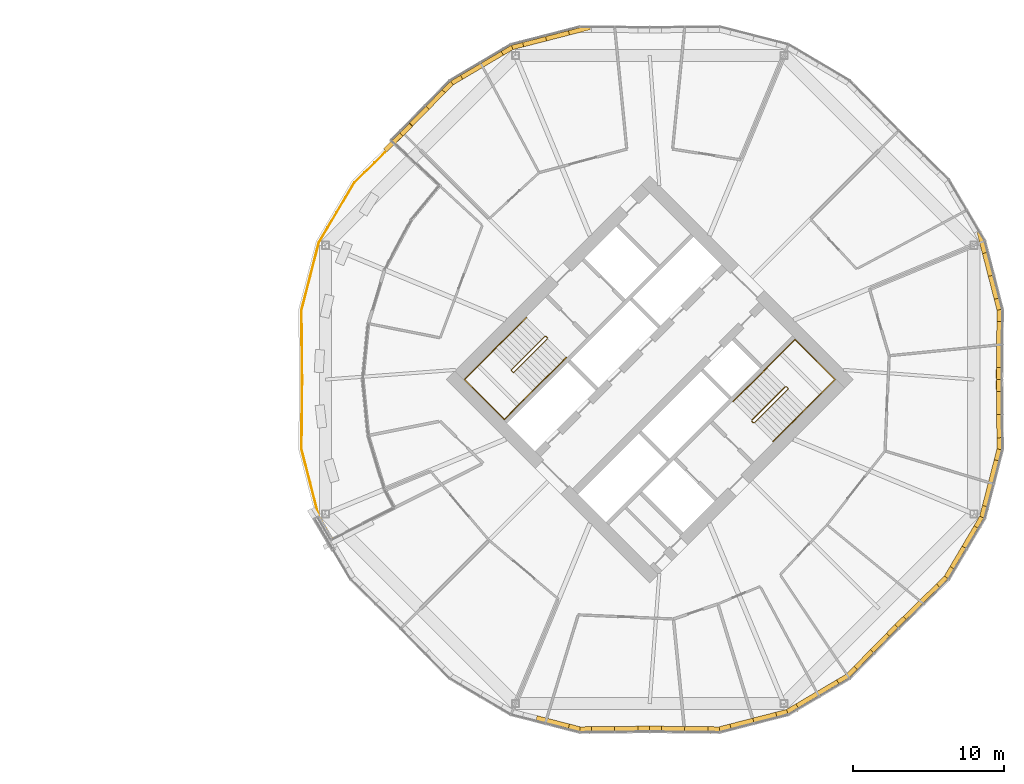
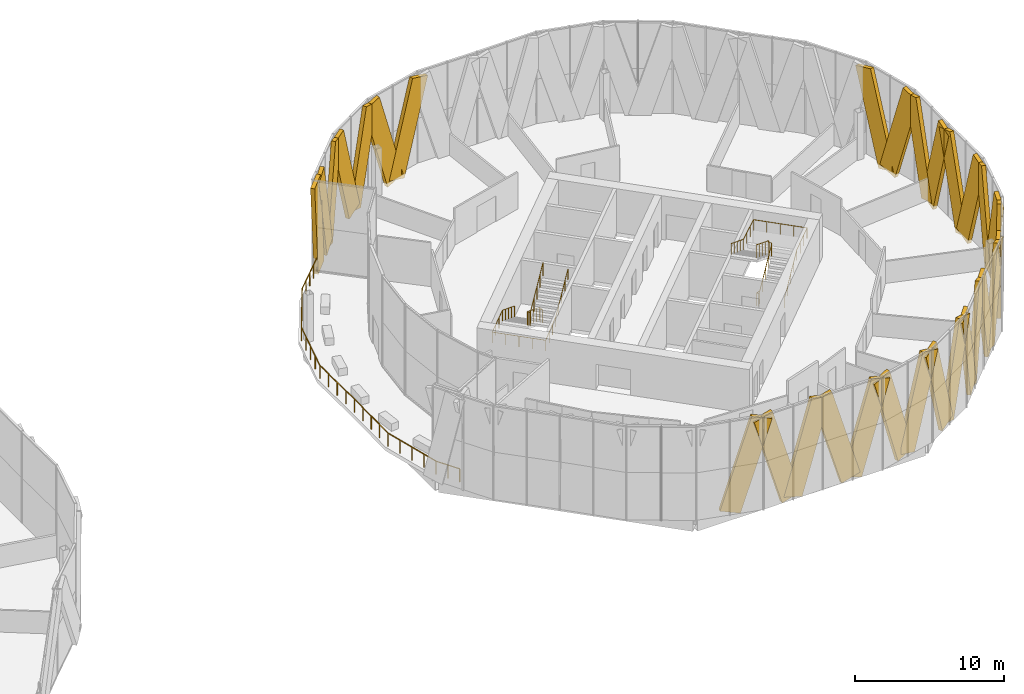
# One storey, part 29 of 31: 30 coverings, 5 railings.
"""IFC4 building model written with IfcOpenShell, lengths in metres."""

from ifc_helpers import new_model, si_unit, direction, frame, origin, origin_2d, place, context, subcontext, project, spatial, rectangle, circle, extrude, material, material_profile, profile_set, type_object, element, save


model = new_model("IFC4")

# Units and contexts
model_context = context("Model", 3, precision=1e-05, world=origin(), true_north=direction((0.0, 1.0)))
body_context = subcontext(model_context, "Body", "Model", "MODEL_VIEW")
ifc_project = project(units=[si_unit("LENGTHUNIT", "METRE"), si_unit("AREAUNIT", "SQUARE_METRE"), si_unit("VOLUMEUNIT", "CUBIC_METRE"), si_unit("PLANEANGLEUNIT", "RADIAN"), si_unit("MASSUNIT", "GRAM", prefix="KILO")], contexts=[model_context])

# Site, building, storey
site_placement = place(None, origin())
site = spatial("IfcSite", under=ifc_project, at=site_placement, CompositionType="ELEMENT")
building_placement = place(site_placement, origin())
building = spatial("IfcBuilding", under=site, at=building_placement, Name="Ogive Gate Towers", CompositionType="ELEMENT")
storey_placement = place(building_placement, frame((0.0, 0.0, 107.39990234375)))
storey = spatial("IfcBuildingStorey", under=building, at=storey_placement, Name="L25", CompositionType="ELEMENT", Elevation=107.39990234375)

# Coverings
ifc_material_1 = material(Name="Pale metal aluminium", Category="aluminium")
ifc_material_profile = material_profile(ifc_material_1, rectangle(XDim=0.300048828125, YDim=1.5, at=origin_2d()), Name="1500 x 300 pale metal aluminium")
ifc_profile_set = profile_set([ifc_material_profile], Name="Pale metal aluminium")
covering_type = type_object("IfcCoveringType", Name="Facade fin 1500 x 300", PredefinedType="CLADDING", material=ifc_profile_set)
for number, where, z_axis, x_axis, name in (
    (1, (58.482666015625, 6.9033203125, -0.13427734375), (-0.07165104365, 0.278575957576, 0.957737732265), (-0.968478486623, -0.249097211846, 0.0), "Facade fin"),
    (2, (58.514892578125, 6.77783203125, -0.13427734375), (0.071682612717, -0.278575324057, 0.957735554243), (0.968451868218, 0.249200680067, 0.0), "Facade fin"),
):
    element("IfcCovering", number, at=place(storey_placement, frame(where, z_axis=z_axis, x_axis=x_axis)), inside=storey, type_object=covering_type, Name=name, PredefinedType="CLADDING", context=body_context, shape_type="SweptSolid", body=[
        extrude(rectangle(XDim=0.300048828125, YDim=1.5, at=origin_2d()), origin(), (0.0, 0.0, 1.0), 7.69384765625),
    ])
for number, where, z_axis, x_axis, name in (
    (3, (59.053466796875, 2.37744140625, -0.13671875), (0.002825315635, 0.2841823097, 0.958766098924), (-0.999950582852, 0.009941421121, 0.0), "Facade fin"),
    (4, (59.05224609375, 2.2509765625, -0.13671875), (-0.002825290145, -0.284211490702, 0.958757449144), (0.99995059389, -0.009940310829, 0.0), "Facade fin"),
    (5, (21.291259765625, 17.89208984375, -0.13671875), (-0.198977201054, -0.202945316901, 0.958760278594), (0.714053132202, -0.700091511441, 0.0), "Facade fin"),
):
    element("IfcCovering", number, at=place(storey_placement, frame(where, z_axis=z_axis, x_axis=x_axis)), inside=storey, type_object=covering_type, Name=name, PredefinedType="CLADDING", context=body_context, shape_type="SweptSolid", body=[
        extrude(rectangle(XDim=0.300048828125, YDim=1.5, at=origin_2d()), origin(), (0.0, 0.0, 1.0), 7.690673828125),
    ])
covering_1_placement = place(storey_placement, frame((21.379638671875, 17.982421875, -0.13671875), z_axis=(0.198971145205, 0.202939140283, 0.958762842791), x_axis=(-0.714053132202, 0.700091511441, 0.0)))
element("IfcCovering", 6, at=covering_1_placement, inside=storey, type_object=covering_type, Name="Facade fin", PredefinedType="CLADDING", context=body_context, shape_type="SweptSolid", body=[
    extrude(rectangle(XDim=0.300048828125, YDim=1.5, at=origin_2d()), origin(), (0.0, 0.0, 1.0), 7.69091796875),
])
for number, where, z_axis, x_axis, name in (
    (7, (24.8720703125, 20.713134765625, -0.13427734375), (-0.247637883216, -0.14631705273, 0.957740465302), (0.508692143634, -0.860948490332, 0.0), "Facade fin"),
    (8, (24.983642578125, 20.779296875, -0.13427734375), (0.247668818854, 0.146284850085, 0.957737385092), (-0.508562052946, 0.861025341267, 0.0), "Facade fin"),
    (9, (29.0966796875, 22.482666015625, -0.13427734375), (-0.278575957576, -0.07165104365, 0.957737732265), (0.249097211846, -0.968478486623, 0.0), "Facade fin"),
    (10, (29.22216796875, 22.514892578125, -0.13427734375), (0.278575324057, 0.071682612717, 0.957735554243), (-0.249200680067, 0.968451868218, 0.0), "Facade fin"),
):
    element("IfcCovering", number, at=place(storey_placement, frame(where, z_axis=z_axis, x_axis=x_axis)), inside=storey, type_object=covering_type, Name=name, PredefinedType="CLADDING", context=body_context, shape_type="SweptSolid", body=[
        extrude(rectangle(XDim=0.300048828125, YDim=1.5, at=origin_2d()), origin(), (0.0, 0.0, 1.0), 7.69384765625),
    ])
covering_2_placement = place(storey_placement, frame((19.70654296875, 16.276123046875, -0.2626953125), z_axis=(-0.08293103696, -0.081309302725, 0.993232722175), x_axis=(0.700090572478, -0.714054052805, 0.0)))
element("IfcCovering", 11, at=covering_2_placement, inside=storey, type_object=covering_type, Name="Facade fin", PredefinedType="CLADDING", context=body_context, shape_type="SweptSolid", body=[
    extrude(rectangle(XDim=0.300048828125, YDim=1.5, at=origin_2d()), origin(), (0.0, 0.0, 1.0), 7.677734375),
])
for number, where, z_axis, x_axis, name in (
    (12, (33.7490234375, -23.05224609375, -0.13671875), (0.284211490702, 0.002825290145, 0.958757449144), (-0.009940310829, 0.99995059389, 0.0), "Facade fin"),
    (13, (33.62255859375, -23.053466796875, -0.13671875), (-0.2841823097, -0.002825315635, 0.958766098924), (0.009941421121, -0.999950582852, 0.0), "Facade fin"),
):
    element("IfcCovering", number, at=place(storey_placement, frame(where, z_axis=z_axis, x_axis=x_axis)), inside=storey, type_object=covering_type, Name=name, PredefinedType="CLADDING", context=body_context, shape_type="SweptSolid", body=[
        extrude(rectangle(XDim=0.300048828125, YDim=1.5, at=origin_2d()), origin(), (0.0, 0.0, 1.0), 7.690673828125),
    ])
covering_3_placement = place(storey_placement, frame((29.22216796875, -22.514892578125, -0.13427734375), z_axis=(0.278575324057, -0.071682612717, 0.957735554243), x_axis=(0.249200680067, 0.968451868218, 0.0)))
element("IfcCovering", 14, at=covering_3_placement, inside=storey, type_object=covering_type, Name="Facade fin", PredefinedType="CLADDING", context=body_context, shape_type="SweptSolid", body=[
    extrude(rectangle(XDim=0.300048828125, YDim=1.5, at=origin_2d()), origin(), (0.0, 0.0, 1.0), 7.69384765625),
])
covering_4_placement = place(storey_placement, frame((50.708740234375, -17.89208984375, -0.13671875), z_axis=(0.198977201054, 0.202945316901, 0.958760278594), x_axis=(-0.714053132202, 0.700091511441, 0.0)))
element("IfcCovering", 15, at=covering_4_placement, inside=storey, type_object=covering_type, Name="Facade fin", PredefinedType="CLADDING", context=body_context, shape_type="SweptSolid", body=[
    extrude(rectangle(XDim=0.300048828125, YDim=1.5, at=origin_2d()), origin(), (0.0, 0.0, 1.0), 7.690673828125),
])
covering_5_placement = place(storey_placement, frame((50.620361328125, -17.982421875, -0.13671875), z_axis=(-0.198971145205, -0.202939140283, 0.958762842791), x_axis=(0.714053132202, -0.700091511441, 0.0)))
element("IfcCovering", 16, at=covering_5_placement, inside=storey, type_object=covering_type, Name="Facade fin", PredefinedType="CLADDING", context=body_context, shape_type="SweptSolid", body=[
    extrude(rectangle(XDim=0.300048828125, YDim=1.5, at=origin_2d()), origin(), (0.0, 0.0, 1.0), 7.69091796875),
])
for number, where, z_axis, x_axis, name in (
    (17, (47.1279296875, -20.713134765625, -0.13427734375), (0.247637883216, 0.14631705273, 0.957740465302), (-0.508692143634, 0.860948490332, 0.0), "Facade fin"),
    (18, (47.016357421875, -20.779296875, -0.13427734375), (-0.247668818854, -0.146284850085, 0.957737385092), (0.508562052946, -0.861025341267, 0.0), "Facade fin"),
    (19, (42.9033203125, -22.482666015625, -0.13427734375), (0.278575957576, 0.07165104365, 0.957737732265), (-0.249097211846, 0.968478486623, 0.0), "Facade fin"),
    (20, (42.77783203125, -22.514892578125, -0.13427734375), (-0.278575324057, -0.071682612717, 0.957735554243), (0.249200680067, -0.968451868218, 0.0), "Facade fin"),
):
    element("IfcCovering", number, at=place(storey_placement, frame(where, z_axis=z_axis, x_axis=x_axis)), inside=storey, type_object=covering_type, Name=name, PredefinedType="CLADDING", context=body_context, shape_type="SweptSolid", body=[
        extrude(rectangle(XDim=0.300048828125, YDim=1.5, at=origin_2d()), origin(), (0.0, 0.0, 1.0), 7.69384765625),
    ])
for number, where, z_axis, x_axis, name in (
    (21, (38.37744140625, -23.053466796875, -0.13671875), (0.2841823097, -0.002825315635, 0.958766098924), (0.009941421121, 0.999950582852, 0.0), "Facade fin"),
    (22, (38.2509765625, -23.05224609375, -0.13671875), (-0.284211490702, 0.002825290145, 0.958757449144), (-0.009940310829, -0.99995059389, 0.0), "Facade fin"),
    (23, (59.05224609375, -2.2509765625, -0.13671875), (-0.002825290145, 0.284211490702, 0.958757449144), (-0.99995059389, -0.009940310829, 0.0), "Facade fin"),
    (24, (59.053466796875, -2.37744140625, -0.13671875), (0.002825315635, -0.2841823097, 0.958766098924), (0.999950582852, 0.009941421121, 0.0), "Facade fin"),
):
    element("IfcCovering", number, at=place(storey_placement, frame(where, z_axis=z_axis, x_axis=x_axis)), inside=storey, type_object=covering_type, Name=name, PredefinedType="CLADDING", context=body_context, shape_type="SweptSolid", body=[
        extrude(rectangle(XDim=0.300048828125, YDim=1.5, at=origin_2d()), origin(), (0.0, 0.0, 1.0), 7.690673828125),
    ])
for number, where, z_axis, x_axis, name in (
    (25, (58.514892578125, -6.77783203125, -0.13427734375), (0.071682612717, 0.278575324057, 0.957735554243), (-0.968451868218, 0.249200680067, 0.0), "Facade fin"),
    (26, (58.482666015625, -6.9033203125, -0.13427734375), (-0.07165104365, -0.278575957576, 0.957737732265), (0.968478486623, -0.249097211846, 0.0), "Facade fin"),
    (27, (56.779296875, -11.016357421875, -0.13427734375), (0.146284850085, 0.247668818854, 0.957737385092), (-0.861025341267, 0.508562052946, 0.0), "Facade fin"),
    (28, (56.713134765625, -11.1279296875, -0.13427734375), (-0.14631705273, -0.247637883216, 0.957740465302), (0.860948490332, -0.508692143634, 0.0), "Facade fin"),
):
    element("IfcCovering", number, at=place(storey_placement, frame(where, z_axis=z_axis, x_axis=x_axis)), inside=storey, type_object=covering_type, Name=name, PredefinedType="CLADDING", context=body_context, shape_type="SweptSolid", body=[
        extrude(rectangle(XDim=0.300048828125, YDim=1.5, at=origin_2d()), origin(), (0.0, 0.0, 1.0), 7.69384765625),
    ])
covering_6_placement = place(storey_placement, frame((53.982421875, -14.620361328125, -0.13671875), z_axis=(0.202939140283, 0.198971145205, 0.958762842791), x_axis=(-0.700091511441, 0.714053132202, 0.0)))
element("IfcCovering", 29, at=covering_6_placement, inside=storey, type_object=covering_type, Name="Facade fin", PredefinedType="CLADDING", context=body_context, shape_type="SweptSolid", body=[
    extrude(rectangle(XDim=0.300048828125, YDim=1.5, at=origin_2d()), origin(), (0.0, 0.0, 1.0), 7.69091796875),
])
covering_7_placement = place(storey_placement, frame((53.89208984375, -14.708740234375, -0.13671875), z_axis=(-0.202945316901, -0.198977201054, 0.958760278594), x_axis=(0.700091511441, -0.714053132202, 0.0)))
element("IfcCovering", 30, at=covering_7_placement, inside=storey, type_object=covering_type, Name="Facade fin", PredefinedType="CLADDING", context=body_context, shape_type="SweptSolid", body=[
    extrude(rectangle(XDim=0.300048828125, YDim=1.5, at=origin_2d()), origin(), (0.0, 0.0, 1.0), 7.690673828125),
])

# Railings
ifc_material_2 = material(Name="Stainless steel", Category="steel")
railing_type_1 = type_object("IfcRailingType", Name="Guard 1100", PredefinedType="GUARDRAIL", material=ifc_material_2)
railing_1_placement = place(storey_placement, frame((15.10009765625, -10.635009765625, 0.0)))
element("IfcRailing", 31, at=railing_1_placement, inside=storey, type_object=railing_type_1, Name="Sky garden guard", PredefinedType="GUARDRAIL", context=body_context, shape_type="SweptSolid", body=[
    extrude(circle(Radius=0.02392578125, at=origin_2d()), frame((0.0, 0.0, 1.076171875), z_axis=(-0.508608980752, 0.860997621773, 0.0), x_axis=(-0.860997621773, -0.508608980752, 0.0)), (0.0, 0.0, 1.0), 1.845703125),
    extrude(circle(Radius=0.02392578125, at=origin_2d()), frame((-0.938720703125, 1.589111328125, 1.076171875), z_axis=(-0.24915616275, 0.96846332226, 0.0), x_axis=(-0.96846332226, -0.24915616275, 0.0)), (0.0, 0.0, 1.0), 4.603515625),
    extrude(circle(Radius=0.02392578125, at=origin_2d()), frame((-2.085693359375, 6.04736328125, 1.076171875), z_axis=(0.009955317742, 0.999950444596, 0.0), x_axis=(-0.999950444596, 0.009955317742, 0.0)), (0.0, 0.0, 1.0), 4.5859375),
    extrude(circle(Radius=0.02392578125, at=origin_2d()), frame((-2.0400390625, 10.633056640625, 1.076171875), z_axis=(-0.009946845519, 0.999950528908, 0.0), x_axis=(-0.999950528908, -0.009946845519, 0.0)), (0.0, 0.0, 1.0), 4.58984375),
    extrude(circle(Radius=0.02392578125, at=origin_2d()), frame((-2.085693359375, 15.22265625, 1.076171875), z_axis=(0.24915616275, 0.96846332226, 0.0), x_axis=(-0.96846332226, 0.24915616275, 0.0)), (0.0, 0.0, 1.0), 4.603515625),
    extrude(circle(Radius=0.02392578125, at=origin_2d()), frame((-0.938720703125, 19.680908203125, 1.076171875), z_axis=(0.50865783913, 0.860968758256, 0.0), x_axis=(-0.860968758256, 0.50865783913, 0.0)), (0.0, 0.0, 1.0), 4.603515625),
    extrude(circle(Radius=0.02392578125, at=origin_2d()), frame((1.40283203125, 23.644287109375, 1.076171875), z_axis=(0.714052566165, 0.700092088767, 0.0), x_axis=(-0.700092088767, 0.714052566165, 0.0)), (0.0, 0.0, 1.0), 3.77734375),
    extrude(circle(Radius=0.02099609375, at=origin_2d()), origin(), (0.0, 0.0, 1.0), 1.052001953125),
    extrude(circle(Radius=0.02099609375, at=origin_2d()), frame((-0.46923828125, 0.79443359375, 0.0)), (0.0, 0.0, 1.0), 1.052001953125),
    extrude(circle(Radius=0.02099609375, at=origin_2d()), frame((-0.938720703125, 1.589111328125, 0.0)), (0.0, 0.0, 1.0), 1.052001953125),
    extrude(circle(Radius=0.02099609375, at=origin_2d()), frame((-1.2255859375, 2.70361328125, 0.0)), (0.0, 0.0, 1.0), 1.052001953125),
    extrude(circle(Radius=0.02099609375, at=origin_2d()), frame((-1.51220703125, 3.818359375, 0.0)), (0.0, 0.0, 1.0), 1.052001953125),
    extrude(circle(Radius=0.02099609375, at=origin_2d()), frame((-1.798828125, 4.932861328125, 0.0)), (0.0, 0.0, 1.0), 1.052001953125),
    extrude(circle(Radius=0.02099609375, at=origin_2d()), frame((-2.085693359375, 6.04736328125, 0.0)), (0.0, 0.0, 1.0), 1.052001953125),
    extrude(circle(Radius=0.02099609375, at=origin_2d()), frame((-2.07421875, 7.19384765625, 0.0)), (0.0, 0.0, 1.0), 1.052001953125),
    extrude(circle(Radius=0.02099609375, at=origin_2d()), frame((-2.06298828125, 8.34033203125, 0.0)), (0.0, 0.0, 1.0), 1.052001953125),
    extrude(circle(Radius=0.02099609375, at=origin_2d()), frame((-2.051513671875, 9.486572265625, 0.0)), (0.0, 0.0, 1.0), 1.052001953125),
    extrude(circle(Radius=0.02099609375, at=origin_2d()), frame((-2.0400390625, 10.633056640625, 0.0)), (0.0, 0.0, 1.0), 1.052001953125),
    extrude(circle(Radius=0.02099609375, at=origin_2d()), frame((-2.051513671875, 11.780517578125, 0.0)), (0.0, 0.0, 1.0), 1.052001953125),
    extrude(circle(Radius=0.02099609375, at=origin_2d()), frame((-2.06298828125, 12.927734375, 0.0)), (0.0, 0.0, 1.0), 1.052001953125),
    extrude(circle(Radius=0.02099609375, at=origin_2d()), frame((-2.07421875, 14.0751953125, 0.0)), (0.0, 0.0, 1.0), 1.052001953125),
    extrude(circle(Radius=0.02099609375, at=origin_2d()), frame((-2.085693359375, 15.22265625, 0.0)), (0.0, 0.0, 1.0), 1.052001953125),
    extrude(circle(Radius=0.02099609375, at=origin_2d()), frame((-1.798828125, 16.337158203125, 0.0)), (0.0, 0.0, 1.0), 1.052001953125),
    extrude(circle(Radius=0.02099609375, at=origin_2d()), frame((-1.51220703125, 17.45166015625, 0.0)), (0.0, 0.0, 1.0), 1.052001953125),
    extrude(circle(Radius=0.02099609375, at=origin_2d()), frame((-1.2255859375, 18.56640625, 0.0)), (0.0, 0.0, 1.0), 1.052001953125),
    extrude(circle(Radius=0.02099609375, at=origin_2d()), frame((-0.938720703125, 19.680908203125, 0.0)), (0.0, 0.0, 1.0), 1.052001953125),
    extrude(circle(Radius=0.02099609375, at=origin_2d()), frame((-0.353271484375, 20.671875, 0.0)), (0.0, 0.0, 1.0), 1.052001953125),
    extrude(circle(Radius=0.02099609375, at=origin_2d()), frame((0.23193359375, 21.66259765625, 0.0)), (0.0, 0.0, 1.0), 1.052001953125),
    extrude(circle(Radius=0.02099609375, at=origin_2d()), frame((0.8173828125, 22.6533203125, 0.0)), (0.0, 0.0, 1.0), 1.052001953125),
    extrude(circle(Radius=0.02099609375, at=origin_2d()), frame((1.40283203125, 23.644287109375, 0.0)), (0.0, 0.0, 1.0), 1.052001953125),
    extrude(circle(Radius=0.02099609375, at=origin_2d()), frame((2.0771484375, 24.305419921875, 0.0)), (0.0, 0.0, 1.0), 1.052001953125),
    extrude(circle(Radius=0.02099609375, at=origin_2d()), frame((2.75146484375, 24.966552734375, 0.0)), (0.0, 0.0, 1.0), 1.052001953125),
    extrude(circle(Radius=0.02099609375, at=origin_2d()), frame((3.42578125, 25.627685546875, 0.0)), (0.0, 0.0, 1.0), 1.052001953125),
    extrude(circle(Radius=0.02099609375, at=origin_2d()), frame((4.10009765625, 26.288818359375, 0.0)), (0.0, 0.0, 1.0), 1.052001953125),
])
railing_type_2 = type_object("IfcRailingType", Name="Stair guard 1100", PredefinedType="GUARDRAIL", material=ifc_material_2)
railing_2_placement = place(storey_placement, frame((29.15869140625, 2.8603515625, 0.0)))
element("IfcRailing", 32, at=railing_2_placement, inside=storey, type_object=railing_type_2, Name="L25 ST1 stair guard 1", PredefinedType="GUARDRAIL", context=body_context, shape_type="SweptSolid", body=[
    extrude(circle(Radius=0.02392578125, at=origin_2d()), frame((0.0, 0.0, 1.076171875), z_axis=(0.707106781187, -0.707106781187, 0.0), x_axis=(0.707106781187, 0.707106781187, 0.0)), (0.0, 0.0, 1.0), 0.14501953125),
    extrude(circle(Radius=0.02392578125, at=origin_2d()), frame((0.1025390625, -0.1025390625, 1.076171875), z_axis=(-0.645182954318, 0.382195826253, 0.661562775443), x_axis=(-0.509669330572, -0.860370369942, 0.0)), (0.0, 0.0, 1.0), 0.268310546875),
    extrude(circle(Radius=0.02392578125, at=origin_2d()), frame((-0.070556640625, 0.0, 1.25341796875), z_axis=(-0.61558473135, -0.61558473135, 0.49204763698), x_axis=(0.707106781187, -0.707106781187, 0.0)), (0.0, 0.0, 1.0), 3.602783203125),
    extrude(circle(Radius=0.02392578125, at=origin_2d()), frame((-2.288330078125, -2.2177734375, 3.0263671875), z_axis=(0.0, -1.0, 0.0), x_axis=(1.0, 0.0, 0.0)), (0.0, 0.0, 1.0), 0.07080078125),
    extrude(circle(Radius=0.02392578125, at=origin_2d()), frame((-2.288330078125, -2.28857421875, 3.0263671875), z_axis=(0.707106781187, -0.707106781187, 0.0), x_axis=(0.707106781187, 0.707106781187, 0.0)), (0.0, 0.0, 1.0), 0.14501953125),
    extrude(circle(Radius=0.02392578125, at=origin_2d()), frame((-2.185791015625, -2.39111328125, 3.0263671875), z_axis=(0.369845645421, 0.0, 0.929093213065), x_axis=(0.0, 1.0, 0.0)), (0.0, 0.0, 1.0), 0.190673828125),
    extrude(circle(Radius=0.02392578125, at=origin_2d()), frame((-2.115234375, -2.39111328125, 3.20361328125), z_axis=(0.61558473135, 0.61558473135, 0.49204763698), x_axis=(-0.707106781187, 0.707106781187, 0.0)), (0.0, 0.0, 1.0), 3.602783203125),
    extrude(circle(Radius=0.02099609375, at=origin_2d()), origin(), (0.0, 0.0, 1.0), 1.052001953125),
    extrude(circle(Radius=0.02099609375, at=origin_2d()), frame((0.1025390625, -0.1025390625, 0.0)), (0.0, 0.0, 1.0), 1.052001953125),
    extrude(circle(Radius=0.02099609375, at=origin_2d()), frame((-0.070556640625, 0.0, 0.177490234375)), (0.0, 0.0, 1.0), 1.052001953125),
    extrude(circle(Radius=0.02099609375, at=origin_2d()), frame((-0.625, -0.554443359375, 0.62060546875)), (0.0, 0.0, 1.0), 1.052001953125),
    extrude(circle(Radius=0.02099609375, at=origin_2d()), frame((-1.179443359375, -1.10888671875, 1.06396484375)), (0.0, 0.0, 1.0), 1.052001953125),
    extrude(circle(Radius=0.02099609375, at=origin_2d()), frame((-1.73388671875, -1.663330078125, 1.507080078125)), (0.0, 0.0, 1.0), 1.052001953125),
    extrude(circle(Radius=0.02099609375, at=origin_2d()), frame((-2.288330078125, -2.2177734375, 1.9501953125)), (0.0, 0.0, 1.0), 1.052001953125),
    extrude(circle(Radius=0.02099609375, at=origin_2d()), frame((-2.288330078125, -2.28857421875, 1.9501953125)), (0.0, 0.0, 1.0), 1.052001953125),
    extrude(circle(Radius=0.02099609375, at=origin_2d()), frame((-2.185791015625, -2.39111328125, 1.9501953125)), (0.0, 0.0, 1.0), 1.052001953125),
    extrude(circle(Radius=0.02099609375, at=origin_2d()), frame((-2.115234375, -2.39111328125, 2.12744140625)), (0.0, 0.0, 1.0), 1.052001953125),
    extrude(circle(Radius=0.02099609375, at=origin_2d()), frame((-1.560791015625, -1.836669921875, 2.570556640625)), (0.0, 0.0, 1.0), 1.052001953125),
    extrude(circle(Radius=0.02099609375, at=origin_2d()), frame((-1.00634765625, -1.2822265625, 3.013671875)), (0.0, 0.0, 1.0), 1.052001953125),
    extrude(circle(Radius=0.02099609375, at=origin_2d()), frame((-0.451904296875, -0.727783203125, 3.45703125)), (0.0, 0.0, 1.0), 1.052001953125),
    extrude(circle(Radius=0.02099609375, at=origin_2d()), frame((0.1025390625, -0.17333984375, 3.900146484375)), (0.0, 0.0, 1.0), 1.052001953125),
])
railing_3_placement = place(storey_placement, frame((42.84130859375, -2.8603515625, 0.0)))
element("IfcRailing", 33, at=railing_3_placement, inside=storey, type_object=railing_type_2, Name="L25 ST2 stair guard 1", PredefinedType="GUARDRAIL", context=body_context, shape_type="SweptSolid", body=[
    extrude(circle(Radius=0.02392578125, at=origin_2d()), frame((0.0, 0.0, 1.076171875), z_axis=(-0.707106781187, 0.707106781187, 0.0), x_axis=(-0.707106781187, -0.707106781187, 0.0)), (0.0, 0.0, 1.0), 0.14501953125),
    extrude(circle(Radius=0.02392578125, at=origin_2d()), frame((-0.1025390625, 0.1025390625, 1.076171875), z_axis=(0.645182954318, -0.382195826253, 0.661562775443), x_axis=(0.509669330572, 0.860370369942, 0.0)), (0.0, 0.0, 1.0), 0.268310546875),
    extrude(circle(Radius=0.02392578125, at=origin_2d()), frame((0.070556640625, 0.0, 1.25341796875), z_axis=(0.61558473135, 0.61558473135, 0.49204763698), x_axis=(-0.707106781187, 0.707106781187, 0.0)), (0.0, 0.0, 1.0), 3.602783203125),
    extrude(circle(Radius=0.02392578125, at=origin_2d()), frame((2.288330078125, 2.2177734375, 3.0263671875), z_axis=(0.0, 1.0, 0.0), x_axis=(-1.0, 0.0, 0.0)), (0.0, 0.0, 1.0), 0.07080078125),
    extrude(circle(Radius=0.02392578125, at=origin_2d()), frame((2.288330078125, 2.28857421875, 3.0263671875), z_axis=(-0.707106781187, 0.707106781187, 0.0), x_axis=(-0.707106781187, -0.707106781187, 0.0)), (0.0, 0.0, 1.0), 0.14501953125),
    extrude(circle(Radius=0.02392578125, at=origin_2d()), frame((2.185791015625, 2.39111328125, 3.0263671875), z_axis=(-0.369845645421, 0.0, 0.929093213065), x_axis=(0.0, -1.0, 0.0)), (0.0, 0.0, 1.0), 0.190673828125),
    extrude(circle(Radius=0.02392578125, at=origin_2d()), frame((2.115234375, 2.39111328125, 3.20361328125), z_axis=(-0.61558473135, -0.61558473135, 0.49204763698), x_axis=(0.707106781187, -0.707106781187, 0.0)), (0.0, 0.0, 1.0), 3.602783203125),
    extrude(circle(Radius=0.02099609375, at=origin_2d()), origin(), (0.0, 0.0, 1.0), 1.052001953125),
    extrude(circle(Radius=0.02099609375, at=origin_2d()), frame((-0.1025390625, 0.1025390625, 0.0)), (0.0, 0.0, 1.0), 1.052001953125),
    extrude(circle(Radius=0.02099609375, at=origin_2d()), frame((0.070556640625, 0.0, 0.177490234375)), (0.0, 0.0, 1.0), 1.052001953125),
    extrude(circle(Radius=0.02099609375, at=origin_2d()), frame((0.625, 0.554443359375, 0.62060546875)), (0.0, 0.0, 1.0), 1.052001953125),
    extrude(circle(Radius=0.02099609375, at=origin_2d()), frame((1.179443359375, 1.10888671875, 1.06396484375)), (0.0, 0.0, 1.0), 1.052001953125),
    extrude(circle(Radius=0.02099609375, at=origin_2d()), frame((1.73388671875, 1.663330078125, 1.507080078125)), (0.0, 0.0, 1.0), 1.052001953125),
    extrude(circle(Radius=0.02099609375, at=origin_2d()), frame((2.288330078125, 2.2177734375, 1.9501953125)), (0.0, 0.0, 1.0), 1.052001953125),
    extrude(circle(Radius=0.02099609375, at=origin_2d()), frame((2.288330078125, 2.28857421875, 1.9501953125)), (0.0, 0.0, 1.0), 1.052001953125),
    extrude(circle(Radius=0.02099609375, at=origin_2d()), frame((2.185791015625, 2.39111328125, 1.9501953125)), (0.0, 0.0, 1.0), 1.052001953125),
    extrude(circle(Radius=0.02099609375, at=origin_2d()), frame((2.115234375, 2.39111328125, 2.12744140625)), (0.0, 0.0, 1.0), 1.052001953125),
    extrude(circle(Radius=0.02099609375, at=origin_2d()), frame((1.560791015625, 1.836669921875, 2.570556640625)), (0.0, 0.0, 1.0), 1.052001953125),
    extrude(circle(Radius=0.02099609375, at=origin_2d()), frame((1.00634765625, 1.2822265625, 3.013671875)), (0.0, 0.0, 1.0), 1.052001953125),
    extrude(circle(Radius=0.02099609375, at=origin_2d()), frame((0.451904296875, 0.727783203125, 3.45703125)), (0.0, 0.0, 1.0), 1.052001953125),
    extrude(circle(Radius=0.02099609375, at=origin_2d()), frame((-0.1025390625, 0.17333984375, 3.900146484375)), (0.0, 0.0, 1.0), 1.052001953125),
])
railing_type_3 = type_object("IfcRailingType", Name="Stair handrail 900", PredefinedType="HANDRAIL", material=ifc_material_2)
railing_4_placement = place(storey_placement, frame((27.857666015625, 4.090576171875, 0.177490234375)))
element("IfcRailing", 34, at=railing_4_placement, inside=storey, type_object=railing_type_3, Name="L25 ST1 stair handrail 1", PredefinedType="HANDRAIL", context=body_context, shape_type="SweptSolid", body=[
    extrude(circle(Radius=0.02392578125, at=origin_2d()), frame((0.0, 0.0, 0.8759765625), z_axis=(-0.61558473135, -0.61558473135, 0.49204763698), x_axis=(0.707106781187, -0.707106781187, 0.0)), (0.0, 0.0, 1.0), 3.602783203125),
    extrude(circle(Radius=0.02392578125, at=origin_2d()), frame((-2.2177734375, -2.2177734375, 2.6484375), z_axis=(-0.707106781187, -0.707106781187, 0.0), x_axis=(0.707106781187, -0.707106781187, 0.0)), (0.0, 0.0, 1.0), 2.6484375),
    extrude(circle(Radius=0.02392578125, at=origin_2d()), frame((-4.090576171875, -4.090576171875, 2.6484375), z_axis=(0.707106781187, -0.707106781187, 0.0), x_axis=(0.707106781187, 0.707106781187, 0.0)), (0.0, 0.0, 1.0), 3.72509765625),
    extrude(circle(Radius=0.02392578125, at=origin_2d()), frame((-1.45654296875, -6.724609375, 2.6484375), z_axis=(0.705482886452, 0.705574853978, 0.066768423356), x_axis=(-0.70715286629, 0.70706069308, 0.0)), (0.0, 0.0, 1.0), 2.654541015625),
    extrude(circle(Radius=0.02392578125, at=origin_2d()), frame((0.416259765625, -4.8515625, 2.82568359375), z_axis=(0.615610411033, 0.615542642384, 0.4920681632), x_axis=(-0.70706785752, 0.70714570271, 0.0)), (0.0, 0.0, 1.0), 3.6025390625),
    extrude(circle(Radius=0.02099609375, at=origin_2d()), origin(), (0.0, 0.0, 1.0), 0.851806640625),
    extrude(circle(Radius=0.02099609375, at=origin_2d()), frame((-0.554443359375, -0.554443359375, 0.443115234375)), (0.0, 0.0, 1.0), 0.851806640625),
    extrude(circle(Radius=0.02099609375, at=origin_2d()), frame((-1.10888671875, -1.10888671875, 0.88623046875)), (0.0, 0.0, 1.0), 0.851806640625),
    extrude(circle(Radius=0.02099609375, at=origin_2d()), frame((-1.663330078125, -1.663330078125, 1.32958984375)), (0.0, 0.0, 1.0), 0.851806640625),
    extrude(circle(Radius=0.02099609375, at=origin_2d()), frame((-2.2177734375, -2.2177734375, 1.772705078125)), (0.0, 0.0, 1.0), 0.851806640625),
    extrude(circle(Radius=0.02099609375, at=origin_2d()), frame((-2.842041015625, -2.842041015625, 1.772705078125)), (0.0, 0.0, 1.0), 0.851806640625),
    extrude(circle(Radius=0.02099609375, at=origin_2d()), frame((-3.46630859375, -3.46630859375, 1.772705078125)), (0.0, 0.0, 1.0), 0.851806640625),
    extrude(circle(Radius=0.02099609375, at=origin_2d()), frame((-4.090576171875, -4.090576171875, 1.772705078125)), (0.0, 0.0, 1.0), 0.851806640625),
    extrude(circle(Radius=0.02099609375, at=origin_2d()), frame((-3.43212890625, -4.7490234375, 1.772705078125)), (0.0, 0.0, 1.0), 0.851806640625),
    extrude(circle(Radius=0.02099609375, at=origin_2d()), frame((-2.7734375, -5.40771484375, 1.772705078125)), (0.0, 0.0, 1.0), 0.851806640625),
    extrude(circle(Radius=0.02099609375, at=origin_2d()), frame((-2.114990234375, -6.066162109375, 1.772705078125)), (0.0, 0.0, 1.0), 0.851806640625),
    extrude(circle(Radius=0.02099609375, at=origin_2d()), frame((-1.45654296875, -6.724609375, 1.772705078125)), (0.0, 0.0, 1.0), 0.851806640625),
    extrude(circle(Radius=0.02099609375, at=origin_2d()), frame((-0.832275390625, -6.100341796875, 1.831787109375)), (0.0, 0.0, 1.0), 0.851806640625),
    extrude(circle(Radius=0.02099609375, at=origin_2d()), frame((-0.2080078125, -5.475830078125, 1.890869140625)), (0.0, 0.0, 1.0), 0.851806640625),
    extrude(circle(Radius=0.02099609375, at=origin_2d()), frame((0.416259765625, -4.8515625, 1.949951171875)), (0.0, 0.0, 1.0), 0.851806640625),
    extrude(circle(Radius=0.02099609375, at=origin_2d()), frame((0.970703125, -4.297119140625, 2.39306640625)), (0.0, 0.0, 1.0), 0.851806640625),
    extrude(circle(Radius=0.02099609375, at=origin_2d()), frame((1.525146484375, -3.74267578125, 2.83642578125)), (0.0, 0.0, 1.0), 0.851806640625),
    extrude(circle(Radius=0.02099609375, at=origin_2d()), frame((2.07958984375, -3.1884765625, 3.279541015625)), (0.0, 0.0, 1.0), 0.851806640625),
    extrude(circle(Radius=0.02099609375, at=origin_2d()), frame((2.634033203125, -2.634033203125, 3.72265625)), (0.0, 0.0, 1.0), 0.851806640625),
])
railing_5_placement = place(storey_placement, frame((44.142333984375, -4.090576171875, 0.177490234375)))
element("IfcRailing", 35, at=railing_5_placement, inside=storey, type_object=railing_type_3, Name="L25 ST2 stair handrail 1", PredefinedType="HANDRAIL", context=body_context, shape_type="SweptSolid", body=[
    extrude(circle(Radius=0.02392578125, at=origin_2d()), frame((0.0, 0.0, 0.8759765625), z_axis=(0.61558473135, 0.61558473135, 0.49204763698), x_axis=(-0.707106781187, 0.707106781187, 0.0)), (0.0, 0.0, 1.0), 3.602783203125),
    extrude(circle(Radius=0.02392578125, at=origin_2d()), frame((2.2177734375, 2.2177734375, 2.6484375), z_axis=(0.707106781187, 0.707106781187, 0.0), x_axis=(-0.707106781187, 0.707106781187, 0.0)), (0.0, 0.0, 1.0), 2.6484375),
    extrude(circle(Radius=0.02392578125, at=origin_2d()), frame((4.090576171875, 4.090576171875, 2.6484375), z_axis=(-0.707106781187, 0.707106781187, 0.0), x_axis=(-0.707106781187, -0.707106781187, 0.0)), (0.0, 0.0, 1.0), 3.72509765625),
    extrude(circle(Radius=0.02392578125, at=origin_2d()), frame((1.45654296875, 6.724609375, 2.6484375), z_axis=(-0.705482886452, -0.705574853978, 0.066768423356), x_axis=(0.70715286629, -0.70706069308, 0.0)), (0.0, 0.0, 1.0), 2.654541015625),
    extrude(circle(Radius=0.02392578125, at=origin_2d()), frame((-0.416259765625, 4.8515625, 2.82568359375), z_axis=(-0.615610411033, -0.615542642384, 0.4920681632), x_axis=(0.70706785752, -0.70714570271, 0.0)), (0.0, 0.0, 1.0), 3.6025390625),
    extrude(circle(Radius=0.02099609375, at=origin_2d()), origin(), (0.0, 0.0, 1.0), 0.851806640625),
    extrude(circle(Radius=0.02099609375, at=origin_2d()), frame((0.554443359375, 0.554443359375, 0.443115234375)), (0.0, 0.0, 1.0), 0.851806640625),
    extrude(circle(Radius=0.02099609375, at=origin_2d()), frame((1.10888671875, 1.10888671875, 0.88623046875)), (0.0, 0.0, 1.0), 0.851806640625),
    extrude(circle(Radius=0.02099609375, at=origin_2d()), frame((1.663330078125, 1.663330078125, 1.32958984375)), (0.0, 0.0, 1.0), 0.851806640625),
    extrude(circle(Radius=0.02099609375, at=origin_2d()), frame((2.2177734375, 2.2177734375, 1.772705078125)), (0.0, 0.0, 1.0), 0.851806640625),
    extrude(circle(Radius=0.02099609375, at=origin_2d()), frame((2.842041015625, 2.842041015625, 1.772705078125)), (0.0, 0.0, 1.0), 0.851806640625),
    extrude(circle(Radius=0.02099609375, at=origin_2d()), frame((3.46630859375, 3.46630859375, 1.772705078125)), (0.0, 0.0, 1.0), 0.851806640625),
    extrude(circle(Radius=0.02099609375, at=origin_2d()), frame((4.090576171875, 4.090576171875, 1.772705078125)), (0.0, 0.0, 1.0), 0.851806640625),
    extrude(circle(Radius=0.02099609375, at=origin_2d()), frame((3.43212890625, 4.7490234375, 1.772705078125)), (0.0, 0.0, 1.0), 0.851806640625),
    extrude(circle(Radius=0.02099609375, at=origin_2d()), frame((2.7734375, 5.40771484375, 1.772705078125)), (0.0, 0.0, 1.0), 0.851806640625),
    extrude(circle(Radius=0.02099609375, at=origin_2d()), frame((2.114990234375, 6.066162109375, 1.772705078125)), (0.0, 0.0, 1.0), 0.851806640625),
    extrude(circle(Radius=0.02099609375, at=origin_2d()), frame((1.45654296875, 6.724609375, 1.772705078125)), (0.0, 0.0, 1.0), 0.851806640625),
    extrude(circle(Radius=0.02099609375, at=origin_2d()), frame((0.832275390625, 6.100341796875, 1.831787109375)), (0.0, 0.0, 1.0), 0.851806640625),
    extrude(circle(Radius=0.02099609375, at=origin_2d()), frame((0.2080078125, 5.475830078125, 1.890869140625)), (0.0, 0.0, 1.0), 0.851806640625),
    extrude(circle(Radius=0.02099609375, at=origin_2d()), frame((-0.416259765625, 4.8515625, 1.949951171875)), (0.0, 0.0, 1.0), 0.851806640625),
    extrude(circle(Radius=0.02099609375, at=origin_2d()), frame((-0.970703125, 4.297119140625, 2.39306640625)), (0.0, 0.0, 1.0), 0.851806640625),
    extrude(circle(Radius=0.02099609375, at=origin_2d()), frame((-1.525146484375, 3.74267578125, 2.83642578125)), (0.0, 0.0, 1.0), 0.851806640625),
    extrude(circle(Radius=0.02099609375, at=origin_2d()), frame((-2.07958984375, 3.1884765625, 3.279541015625)), (0.0, 0.0, 1.0), 0.851806640625),
    extrude(circle(Radius=0.02099609375, at=origin_2d()), frame((-2.634033203125, 2.634033203125, 3.72265625)), (0.0, 0.0, 1.0), 0.851806640625),
])

save(model, "model.ifc")
